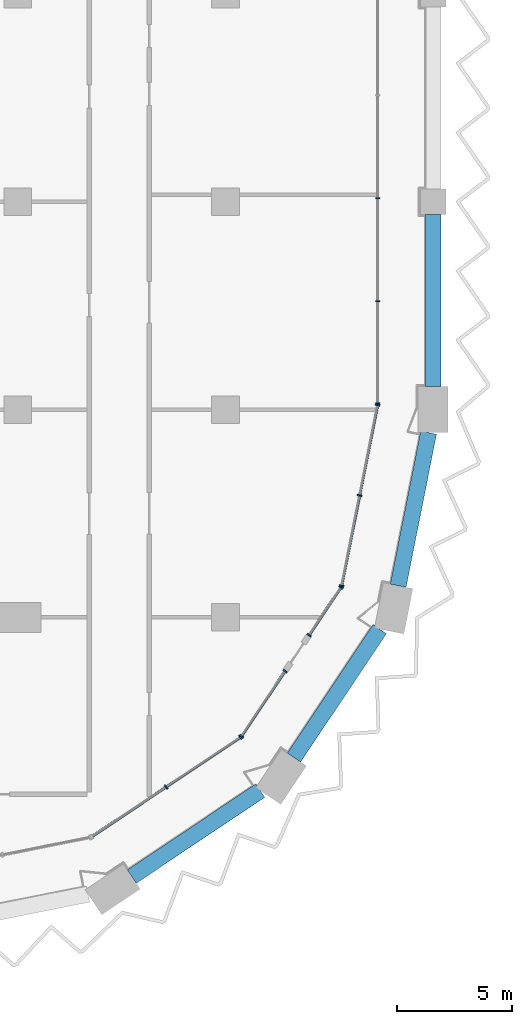
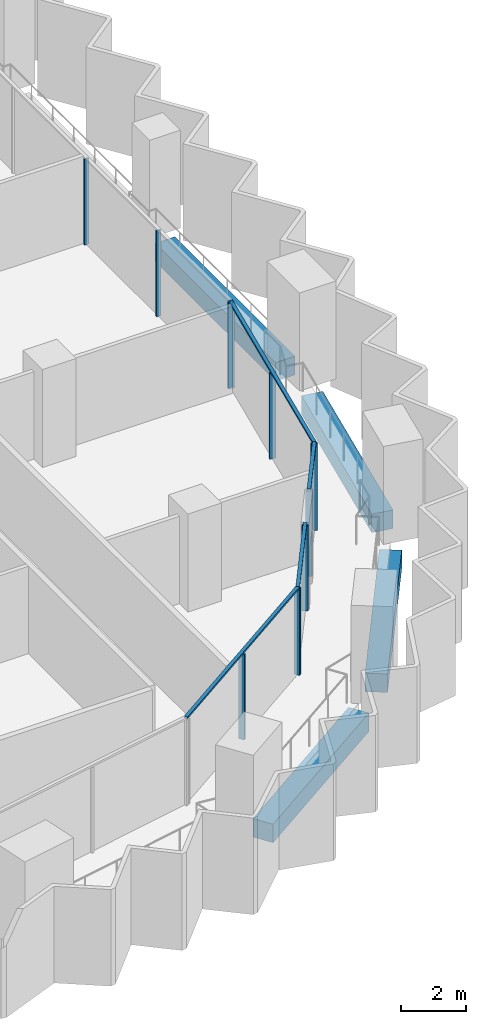
# One storey, part 3 of 23: 16 members, 4 beams, 5 elements without a shape of their own.
"""IFC4 building model written with IfcOpenShell, lengths in metres."""

from ifc_helpers import new_model, si_unit, direction, frame, origin, origin_2d, place, context, subcontext, project, spatial, rectangle, extrude, material, material_profile, profile_set, type_object, element, aggregate, save


model = new_model("IFC4")

# Units and contexts
model_context = context("Model", 3, precision=1e-05, world=origin(), true_north=direction((0.0, 1.0)))
body_context = subcontext(model_context, "Body", "Model", "MODEL_VIEW")
ifc_project = project(units=[si_unit("LENGTHUNIT", "METRE"), si_unit("AREAUNIT", "SQUARE_METRE"), si_unit("VOLUMEUNIT", "CUBIC_METRE"), si_unit("PLANEANGLEUNIT", "RADIAN"), si_unit("MASSUNIT", "GRAM", prefix="KILO")], contexts=[model_context])

# Site, building, storey
site_placement = place(None, origin())
site = spatial("IfcSite", under=ifc_project, at=site_placement, CompositionType="ELEMENT")
building_placement = place(site_placement, origin())
building = spatial("IfcBuilding", under=site, at=building_placement, Name="Hunhe Ridgeline Campus", CompositionType="ELEMENT")
storey_placement = place(building_placement, frame((0.0, 0.0, 144.89990234375)))
storey = spatial("IfcBuildingStorey", under=building, at=storey_placement, Name="L36", CompositionType="ELEMENT", Elevation=144.89990234375)

# Curtain wall, members
ifc_material_1 = material(Name="Aluminium 6063", Category="aluminium")
curtain_wall_type_1 = type_object("IfcCurtainWallType", Name="Curtain wall CW-1", PredefinedType="NOTDEFINED", material=ifc_material_1)
curtain_wall_1_placement = place(storey_placement, origin())
curtain_wall_1 = element("IfcCurtainWall", 1, at=curtain_wall_1_placement, inside=storey, type_object=curtain_wall_type_1, Name="Curtain wall 11", PredefinedType="NOTDEFINED")
ifc_material_profile_1 = material_profile(ifc_material_1, rectangle(XDim=0.159912109375, YDim=0.06005859375, at=origin_2d()))
ifc_profile_set_1 = profile_set([ifc_material_profile_1], Name="Aluminium 6063")
member_type_1 = type_object("IfcMemberType", Name="CW-1 aluminium mullion", PredefinedType="MULLION", material=ifc_profile_set_1)
member_1_placement = place(storey_placement, frame((42.59912109375, 27.266357421875, 0.0), z_axis=(0.0, 0.0, 1.0), x_axis=(-0.99999999999, 4.408911e-06, 0.0)))
member_1 = element("IfcMember", 2, at=member_1_placement, type_object=member_type_1, Name="CW-1 mullion 1", PredefinedType="MULLION", context=body_context, shape_type="SweptSolid", body=[
    extrude(rectangle(XDim=0.159912109375, YDim=0.06005859375, at=origin_2d()), origin(), (0.0, 0.0, 1.0), 3.239990234375),
])
member_2_placement = place(storey_placement, frame((42.59912109375, 31.697021484375, 0.0), z_axis=(0.0, 0.0, 1.0), x_axis=(-0.99999999999, 4.408911e-06, 0.0)))
member_2 = element("IfcMember", 3, at=member_2_placement, type_object=member_type_1, Name="CW-1 mullion 2", PredefinedType="MULLION", context=body_context, shape_type="SweptSolid", body=[
    extrude(rectangle(XDim=0.159912109375, YDim=0.06005859375, at=origin_2d()), origin(), (0.0, 0.0, 1.0), 3.239990234375),
])
member_3_placement = place(storey_placement, frame((42.59912109375, 36.15771484375, 0.0), z_axis=(0.0, 0.0, 1.0), x_axis=(-0.99999999999, 4.408911e-06, 0.0)))
member_3 = element("IfcMember", 4, at=member_3_placement, type_object=member_type_1, Name="CW-1 mullion 3", PredefinedType="MULLION", context=body_context, shape_type="SweptSolid", body=[
    extrude(rectangle(XDim=0.159912109375, YDim=0.06005859375, at=origin_2d()), origin(), (0.0, 0.0, 1.0), 3.239990234375),
])
aggregate(curtain_wall_1, [member_1, member_2, member_3])

curtain_wall_type_2 = type_object("IfcCurtainWallType", Name="Curtain wall CW-5", PredefinedType="NOTDEFINED", material=ifc_material_1)
curtain_wall_2_placement = place(storey_placement, origin())
curtain_wall_2 = element("IfcCurtainWall", 5, at=curtain_wall_2_placement, inside=storey, type_object=curtain_wall_type_2, Name="Curtain wall 07", PredefinedType="NOTDEFINED")
ifc_material_profile_2 = material_profile(ifc_material_1, rectangle(XDim=0.199951171875, YDim=0.070068359375, at=origin_2d()))
ifc_profile_set_2 = profile_set([ifc_material_profile_2], Name="Aluminium 6063")
member_type_2 = type_object("IfcMemberType", Name="CW-5 aluminium mullion", PredefinedType="MULLION", material=ifc_profile_set_2)
member_4_placement = place(storey_placement, frame((33.42626953125, 10.647705078125, 0.0), z_axis=(0.0, 0.0, 1.0), x_axis=(-0.555570274596, 0.831469584522, 0.0)))
member_4 = element("IfcMember", 6, at=member_4_placement, type_object=member_type_2, Name="CW-5 mullion 2", PredefinedType="MULLION", context=body_context, shape_type="SweptSolid", body=[
    extrude(rectangle(XDim=0.199951171875, YDim=0.070068359375, at=origin_2d()), origin(), (0.0, 0.0, 1.0), 3.22998046875),
])
member_5_placement = place(storey_placement, frame((36.649658203125, 12.8017578125, 0.0), z_axis=(0.0, 0.0, 1.0), x_axis=(-0.555570274596, 0.831469584522, 0.0)))
member_5 = element("IfcMember", 7, at=member_5_placement, type_object=member_type_2, Name="CW-5 mullion 3", PredefinedType="MULLION", context=body_context, shape_type="SweptSolid", body=[
    extrude(rectangle(XDim=0.199951171875, YDim=0.070068359375, at=origin_2d()), origin(), (0.0, 0.0, 1.0), 3.22998046875),
])

curtain_wall_3_placement = place(storey_placement, origin())
curtain_wall_3 = element("IfcCurtainWall", 8, at=curtain_wall_3_placement, inside=storey, type_object=curtain_wall_type_2, Name="Curtain wall 08", PredefinedType="NOTDEFINED")
member_6_placement = place(storey_placement, frame((36.6982421875, 12.850341796875, 0.0), z_axis=(0.0, 0.0, 1.0), x_axis=(-0.831469595944, 0.555570257501, 0.0)))
member_6 = element("IfcMember", 9, at=member_6_placement, type_object=member_type_2, Name="CW-5 mullion 1", PredefinedType="MULLION", context=body_context, shape_type="SweptSolid", body=[
    extrude(rectangle(XDim=0.199951171875, YDim=0.070068359375, at=origin_2d()), origin(), (0.0, 0.0, 1.0), 3.22998046875),
])
member_7_placement = place(storey_placement, frame((38.582763671875, 15.67041015625, 0.0), z_axis=(0.0, 0.0, 1.0), x_axis=(-0.831469595944, 0.555570257501, 0.0)))
member_7 = element("IfcMember", 10, at=member_7_placement, type_object=member_type_2, Name="CW-5 mullion 2", PredefinedType="MULLION", context=body_context, shape_type="SweptSolid", body=[
    extrude(rectangle(XDim=0.199951171875, YDim=0.070068359375, at=origin_2d()), origin(), (0.0, 0.0, 1.0), 3.22998046875),
])

curtain_wall_4_placement = place(storey_placement, origin())
curtain_wall_4 = element("IfcCurtainWall", 11, at=curtain_wall_4_placement, inside=storey, type_object=curtain_wall_type_2, Name="Curtain wall 09", PredefinedType="NOTDEFINED")
member_8_placement = place(storey_placement, frame((39.62158203125, 17.225341796875, 0.0), z_axis=(0.0, 0.0, 1.0), x_axis=(-0.831469510353, 0.555570385598, 0.0)))
member_8 = element("IfcMember", 12, at=member_8_placement, type_object=member_type_2, Name="CW-5 mullion 1", PredefinedType="MULLION", context=body_context, shape_type="SweptSolid", body=[
    extrude(rectangle(XDim=0.199951171875, YDim=0.070068359375, at=origin_2d()), origin(), (0.0, 0.0, 1.0), 3.22998046875),
])
member_9_placement = place(storey_placement, frame((41.006103515625, 19.29736328125, 0.0), z_axis=(0.0, 0.0, 1.0), x_axis=(-0.831469510353, 0.555570385598, 0.0)))
member_9 = element("IfcMember", 13, at=member_9_placement, type_object=member_type_2, Name="CW-5 mullion 2", PredefinedType="MULLION", context=body_context, shape_type="SweptSolid", body=[
    extrude(rectangle(XDim=0.199951171875, YDim=0.070068359375, at=origin_2d()), origin(), (0.0, 0.0, 1.0), 3.22998046875),
])

curtain_wall_5_placement = place(storey_placement, origin())
curtain_wall_5 = element("IfcCurtainWall", 14, at=curtain_wall_5_placement, inside=storey, type_object=curtain_wall_type_2, Name="Curtain wall 10", PredefinedType="NOTDEFINED")
member_10_placement = place(storey_placement, frame((41.032470703125, 19.36083984375, 0.0), z_axis=(0.0, 0.0, 1.0), x_axis=(-0.980785284939, 0.195090299215, 0.0)))
member_10 = element("IfcMember", 15, at=member_10_placement, type_object=member_type_2, Name="CW-5 mullion 1", PredefinedType="MULLION", context=body_context, shape_type="SweptSolid", body=[
    extrude(rectangle(XDim=0.199951171875, YDim=0.070068359375, at=origin_2d()), origin(), (0.0, 0.0, 1.0), 3.22998046875),
])
member_11_placement = place(storey_placement, frame((41.812255859375, 23.281494140625, 0.0), z_axis=(0.0, 0.0, 1.0), x_axis=(-0.980785284939, 0.195090299215, 0.0)))
member_11 = element("IfcMember", 16, at=member_11_placement, type_object=member_type_2, Name="CW-5 mullion 2", PredefinedType="MULLION", context=body_context, shape_type="SweptSolid", body=[
    extrude(rectangle(XDim=0.199951171875, YDim=0.070068359375, at=origin_2d()), origin(), (0.0, 0.0, 1.0), 3.22998046875),
])
member_12_placement = place(storey_placement, frame((42.59228515625, 27.2021484375, 0.0), z_axis=(0.0, 0.0, 1.0), x_axis=(-0.980785284939, 0.195090299215, 0.0)))
member_12 = element("IfcMember", 17, at=member_12_placement, type_object=member_type_2, Name="CW-5 mullion 3", PredefinedType="MULLION", context=body_context, shape_type="SweptSolid", body=[
    extrude(rectangle(XDim=0.199951171875, YDim=0.070068359375, at=origin_2d()), origin(), (0.0, 0.0, 1.0), 3.22998046875),
])

# Member
ifc_material_profile_3 = material_profile(ifc_material_1, rectangle(XDim=0.1201171875, YDim=0.070068359375, at=origin_2d()))
ifc_profile_set_3 = profile_set([ifc_material_profile_3], Name="Aluminium 6063")
member_type_3 = type_object("IfcMemberType", Name="CW-5 aluminium transom", PredefinedType="USERDEFINED", material=ifc_profile_set_3)
member_13_placement = place(storey_placement, frame((30.173583984375, 8.474365234375, 3.26513671875), z_axis=(0.831473763475, 0.5555640203, 0.0), x_axis=(-0.5555640203, 0.831473763475, 0.0)))
member_13 = element("IfcMember", 18, at=member_13_placement, type_object=member_type_3, Name="CW-5 transom 1", ObjectType="TRANSOM", PredefinedType="USERDEFINED", context=body_context, shape_type="SweptSolid", body=[
    extrude(rectangle(XDim=0.1201171875, YDim=0.070068359375, at=origin_2d()), origin(), (0.0, 0.0, 1.0), 7.823974609375),
])

aggregate(curtain_wall_2, [member_13, member_4, member_5])

member_14_placement = place(storey_placement, frame((36.678955078125, 12.821044921875, 3.26513671875), z_axis=(0.555546133463, 0.831485714606, 0.0), x_axis=(-0.831485714606, 0.555546133463, 0.0)))
member_14 = element("IfcMember", 19, at=member_14_placement, type_object=member_type_3, Name="CW-5 transom 1", ObjectType="TRANSOM", PredefinedType="USERDEFINED", context=body_context, shape_type="SweptSolid", body=[
    extrude(rectangle(XDim=0.1201171875, YDim=0.070068359375, at=origin_2d()), origin(), (0.0, 0.0, 1.0), 3.462158203125),
])

aggregate(curtain_wall_3, [member_14, member_6, member_7])

member_15_placement = place(storey_placement, frame((39.602294921875, 17.1962890625, 3.26513671875), z_axis=(0.555579547735, 0.831463388334, 0.0), x_axis=(-0.831463388334, 0.555579547735, 0.0)))
member_15 = element("IfcMember", 20, at=member_15_placement, type_object=member_type_3, Name="CW-5 transom 1", ObjectType="TRANSOM", PredefinedType="USERDEFINED", context=body_context, shape_type="SweptSolid", body=[
    extrude(rectangle(XDim=0.1201171875, YDim=0.070068359375, at=origin_2d()), origin(), (0.0, 0.0, 1.0), 2.56201171875),
])

aggregate(curtain_wall_4, [member_15, member_8, member_9])

member_16_placement = place(storey_placement, frame((41.025634765625, 19.326416015625, 3.26513671875), z_axis=(0.195097290093, 0.980783894341, 0.0), x_axis=(-0.980783894341, 0.195097290093, 0.0)))
member_16 = element("IfcMember", 21, at=member_16_placement, type_object=member_type_3, Name="CW-5 transom 1", ObjectType="TRANSOM", PredefinedType="USERDEFINED", context=body_context, shape_type="SweptSolid", body=[
    extrude(rectangle(XDim=0.1201171875, YDim=0.070068359375, at=origin_2d()), origin(), (0.0, 0.0, 1.0), 8.065185546875),
])

aggregate(curtain_wall_5, [member_16, member_10, member_11, member_12])

# Beams
ifc_material_2 = material(Name="Concrete C60", Category="concrete")
ifc_material_profile_4 = material_profile(ifc_material_2, rectangle(XDim=0.699951171875, YDim=0.699951171875, at=origin_2d()))
ifc_profile_set_4 = profile_set([ifc_material_profile_4], Name="Concrete C60")
beam_type = type_object("IfcBeamType", Name="RC spandrel beam 700x700 Concrete C60", PredefinedType="SPANDREL", material=ifc_profile_set_4)
for number, where, z_axis, x_axis, name in (
    (22, (31.94189453125, 6.768310546875, -0.599853515625), (0.831472141711, 0.555566447474, 0.0), (-0.555566447474, 0.831472141711, 0.0), "Spandrel beam B2-6 L36"),
    (23, (38.965576171875, 11.921630859375, -0.599853515625), (0.555566447474, 0.831472141711, 0.0), (-0.831472141711, 0.555566447474, 0.0), "Spandrel beam B2-7 L36"),
):
    element("IfcBeam", number, at=place(storey_placement, frame(where, z_axis=z_axis, x_axis=x_axis)), inside=storey, type_object=beam_type, Name=name, PredefinedType="SPANDREL", context=body_context, shape_type="SweptSolid", body=[
        extrude(rectangle(XDim=0.699951171875, YDim=0.699951171875, at=origin_2d()), origin(), (0.0, 0.0, 1.0), 6.69677734375),
    ])
beam_1_placement = place(storey_placement, frame((43.482421875, 19.370361328125, -0.599853515625), z_axis=(0.195074154586, 0.980788496166, 0.0), x_axis=(-0.980788496166, 0.195074154586, 0.0)))
element("IfcBeam", 24, at=beam_1_placement, inside=storey, type_object=beam_type, Name="Spandrel beam B2-8 L36", PredefinedType="SPANDREL", context=body_context, shape_type="SweptSolid", body=[
    extrude(rectangle(XDim=0.699951171875, YDim=0.699951171875, at=origin_2d()), origin(), (0.0, 0.0, 1.0), 6.759521484375),
])
beam_2_placement = place(storey_placement, frame((45.0, 28.0, -0.599853515625), z_axis=(0.0, 1.0, 0.0), x_axis=(-1.0, 0.0, 0.0)))
element("IfcBeam", 25, at=beam_2_placement, inside=storey, type_object=beam_type, Name="Spandrel beam B2-9 L36", PredefinedType="SPANDREL", context=body_context, shape_type="SweptSolid", body=[
    extrude(rectangle(XDim=0.699951171875, YDim=0.699951171875, at=origin_2d()), origin(), (0.0, 0.0, 1.0), 7.449951171875),
])

save(model, "model.ifc")
